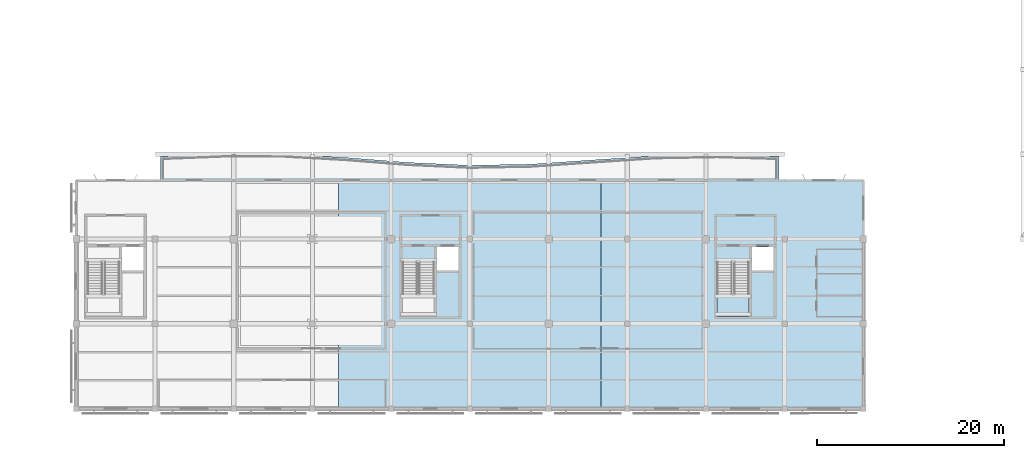
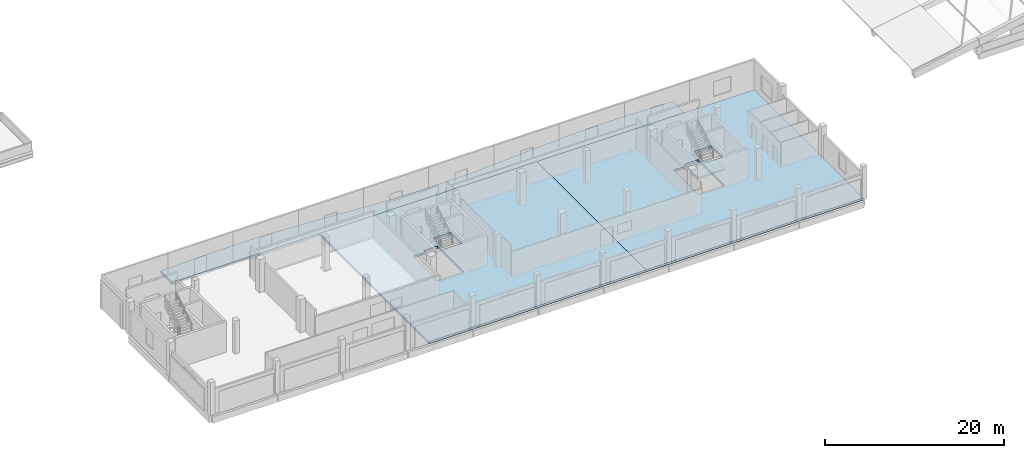
# One storey, part 7 of 34: 4 slabs, 1 element without a shape of its own.
"""IFC4 building model written with IfcOpenShell, lengths in metres."""

from ifc_helpers import new_model, si_unit, direction, frame, origin, place, context, subcontext, project, spatial, polyline, outline, extrude, material, layer, layer_set, type_object, element, aggregate, save


model = new_model("IFC4")

# Units and contexts
model_context = context("Model", 3, precision=1e-05, world=origin(), true_north=direction((0.0, 1.0)))
body_context = subcontext(model_context, "Body", "Model", "MODEL_VIEW")
ifc_project = project(units=[si_unit("LENGTHUNIT", "METRE"), si_unit("AREAUNIT", "SQUARE_METRE"), si_unit("VOLUMEUNIT", "CUBIC_METRE"), si_unit("PLANEANGLEUNIT", "RADIAN"), si_unit("MASSUNIT", "GRAM", prefix="KILO")], contexts=[model_context])

# Site, building, storey
site_placement = place(None, origin())
site = spatial("IfcSite", under=ifc_project, at=site_placement, CompositionType="ELEMENT")
building_placement = place(site_placement, origin())
building = spatial("IfcBuilding", under=site, at=building_placement, Name="Khurvash Pelagic Aquarium", CompositionType="ELEMENT")
storey_placement = place(building_placement, frame((0.0, 0.0, 15.60009765625)))
storey = spatial("IfcBuildingStorey", under=building, at=storey_placement, Name="L03", CompositionType="ELEMENT", Elevation=15.60009765625)

# Slabs
ifc_material_1 = material(Name="Concrete C40/50", Category="concrete")
ifc_layer_1 = layer(ifc_material_1, 0.300048828125)
ifc_layer_set_1 = layer_set([ifc_layer_1], Name="Concrete C40/50")
slab_type_1 = type_object("IfcSlabType", Name="FS-300", PredefinedType="FLOOR", material=ifc_layer_set_1)
slab_1_placement = place(storey_placement, frame((0.0, 0.0, -0.300048828125)))
element("IfcSlab", 1, at=slab_1_placement, inside=storey, type_object=slab_type_1, Name="L03 Structural Floor Slab FS-300 V3_SOUTH.2", PredefinedType="FLOOR", context=body_context, shape_type="SweptSolid", body=[
    extrude(outline(polyline([(81.199951171875, 2.60009765625), (81.199951171875, 26.949951171875), (53.199951171875, 26.949951171875), (53.199951171875, 2.60009765625), (81.199951171875, 2.60009765625)]), holes=[polyline([(61.60009765625, 18.25), (63.39990234375, 18.25), (63.39990234375, 12.449951171875), (60.0, 12.449951171875), (60.0, 17.8701171875), (61.60009765625, 17.8701171875), (61.60009765625, 18.25)]), polyline([(66.0, 17.35009765625), (63.699951171875, 17.35009765625), (63.699951171875, 19.85009765625), (66.0, 19.85009765625), (66.0, 17.35009765625)])]), origin(), (0.0, 0.0, 1.0), 0.300048828125),
])
slab_2_placement = place(storey_placement, frame((0.0, 0.0, -0.300048828125)))
element("IfcSlab", 2, at=slab_2_placement, inside=storey, type_object=slab_type_1, Name="L03 Structural Floor Slab FS-300 V3_SOUTH.3", PredefinedType="FLOOR", context=body_context, shape_type="SweptSolid", body=[
    extrude(outline(polyline([(109.199951171875, 2.60009765625), (109.199951171875, 26.949951171875), (81.199951171875, 26.949951171875), (81.199951171875, 2.60009765625), (109.199951171875, 2.60009765625)]), holes=[polyline([(95.199951171875, 18.25), (97.0, 18.25), (97.0, 12.449951171875), (93.60009765625, 12.449951171875), (93.60009765625, 17.8701171875), (95.199951171875, 17.8701171875), (95.199951171875, 18.25)]), polyline([(99.60009765625, 17.35009765625), (97.300048828125, 17.35009765625), (97.300048828125, 19.85009765625), (99.60009765625, 19.85009765625), (99.60009765625, 17.35009765625)])]), origin(), (0.0, 0.0, 1.0), 0.300048828125),
])

# Stair, slab
ifc_material_2 = material(Name="Concrete C35/45", Category="concrete")
stair_type = type_object("IfcStairType", Name="ST-03", PredefinedType="HALF_TURN_STAIR", material=ifc_material_2)
stair_placement = place(storey_placement, origin())
stair = element("IfcStair", 3, at=stair_placement, inside=storey, type_object=stair_type, Name="L03 Protected Exit Stair ST-03", PredefinedType="HALF_TURN_STAIR")
ifc_layer_2 = layer(ifc_material_2, 0.199951171875)
ifc_layer_set_2 = layer_set([ifc_layer_2], Name="Concrete C35/45")
slab_type_2 = type_object("IfcSlabType", Name="SL-LND-200", PredefinedType="LANDING", material=ifc_layer_set_2)
slab_3_placement = place(storey_placement, frame((0.0, 0.0, 2.0498046875)))
slab_3 = element("IfcSlab", 4, at=slab_3_placement, type_object=slab_type_2, Name="ST-03 landing 1", PredefinedType="LANDING", context=body_context, shape_type="SweptSolid", body=[
    extrude(outline(polyline([(93.60009765625, 14.830078125), (93.60009765625, 12.449951171875), (97.0, 12.449951171875), (97.0, 14.830078125), (93.60009765625, 14.830078125)])), origin(), (0.0, 0.0, 1.0), 0.2001953125),
])
aggregate(stair, [slab_3])

# Slab
ifc_material_3 = material(Name="Water-retaining concrete C40/50", Category="concrete")
ifc_layer_3 = layer(ifc_material_3, 0.320068359375)
ifc_layer_set_3 = layer_set([ifc_layer_3], Name="Water-retaining concrete C40/50")
slab_type_3 = type_object("IfcSlabType", Name="TR-320", PredefinedType="FLOOR", material=ifc_layer_set_3)
slab_4_placement = place(storey_placement, frame((0.0, 0.0, -0.320068359375)))
element("IfcSlab", 5, at=slab_4_placement, inside=storey, type_object=slab_type_3, Name="L03 Planted Monsoon Terrace Slab TR-320 TERR_L03_S", PredefinedType="FLOOR", context=body_context, shape_type="SweptSolid", body=[
    extrude(outline(polyline([(34.199951171875, 26.949951171875), (53.199951171875, 26.949951171875), (81.199951171875, 26.949951171875), (100.199951171875, 26.949951171875), (100.199951171875, 29.5), (93.60009765625, 29.705078125), (87.0, 29.580078125), (80.39990234375, 29.14208984375), (73.800048828125, 28.68896484375), (67.199951171875, 28.56396484375), (60.60009765625, 28.8701171875), (54.0, 29.389892578125), (47.39990234375, 29.760009765625), (40.800048828125, 29.762939453125), (34.199951171875, 29.5), (34.199951171875, 26.949951171875)])), origin(), (0.0, 0.0, 1.0), 0.320068359375),
])

save(model, "model.ifc")
